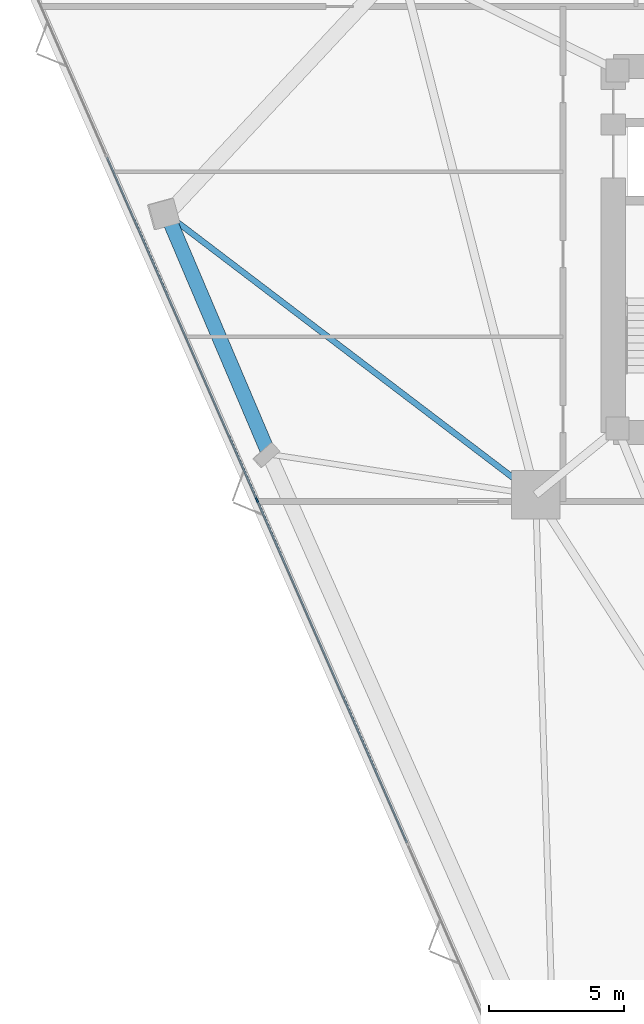
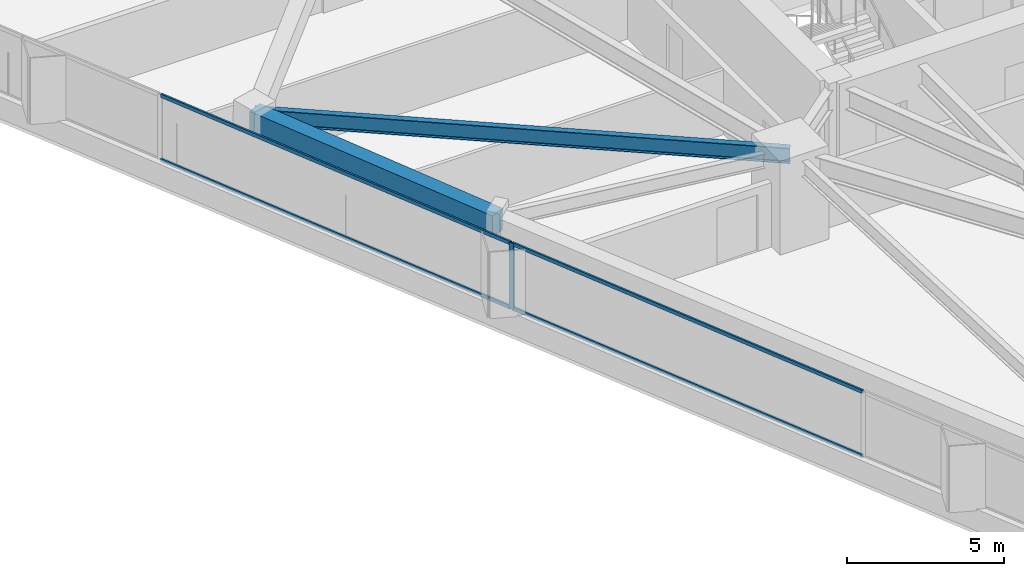
# One storey, part 6 of 20: 5 members, 2 beams, 1 element without a shape of its own.
"""IFC4 building model written with IfcOpenShell, lengths in metres."""

import ifcopenshell
import ifcopenshell.guid

model = None  # the IFC model being written
_history = None  # IfcOwnerHistory: only IFC2X3 demands one
_inside = {}  # id of a spatial element -> (the spatial element, [elements in it])
_under = {}  # id of a project, library or spatial element -> (it, [spatial elements below it])
_declared = {}  # id of a project -> (the project, [libraries it declares])
_typed = {}  # id of a type object -> (the type object, [elements of that type])
_made_of = {}  # id of a material, layer set ... -> (it, [elements and type objects made of it])


def new_model(schema):
    """Start an empty IFC model of exactly this schema.

    Asked for "IFC4X3", IfcOpenShell would pick the latest addendum, in which some entities
    have other attributes; the version numbers below select the first issue.
    IFC2X3 requires an IfcOwnerHistory on every rooted entity: one is made here for all.
    """
    global model, _history
    if schema == "IFC4X3":
        model = ifcopenshell.file(schema_version=(4, 3, 0, 0))
    else:
        model = ifcopenshell.file(schema=schema)
    _inside.clear()
    _under.clear()
    _declared.clear()
    _typed.clear()
    _made_of.clear()
    _history = None
    if model.schema == "IFC2X3":
        org = make("IfcOrganization", Name="unknown")
        user = make(
            "IfcPersonAndOrganization",
            ThePerson=make("IfcPerson", FamilyName="unknown"),
            TheOrganization=org,
        )
        app = make(
            "IfcApplication",
            ApplicationDeveloper=org,
            Version="unknown",
            ApplicationFullName="unknown",
            ApplicationIdentifier="unknown",
        )
        _history = make(
            "IfcOwnerHistory",
            OwningUser=user,
            OwningApplication=app,
            ChangeAction="ADDED",
            CreationDate=0,
        )
    return model


def make(cls, **values):
    """One entity of the class cls with the attributes given. An attribute that is None is left unset."""
    return model.create_entity(
        cls, **{name: value for name, value in values.items() if value is not None}
    )


def rooted(cls, **values):
    """An entity with a GlobalId (a new one), such as an element, a storey or a relation."""
    return make(cls, GlobalId=ifcopenshell.guid.new(), OwnerHistory=_history, **values)


def si_unit(unit_type, name, prefix=None):
    """IfcSIUnit, for example si_unit("LENGTHUNIT", "METRE", prefix="MILLI")."""
    return make("IfcSIUnit", UnitType=unit_type, Prefix=prefix, Name=name)


def assignment(units):
    """IfcUnitAssignment: the units of a project."""
    return None if units is None else make("IfcUnitAssignment", Units=units)


def point(xyz):
    """IfcCartesianPoint."""
    return None if xyz is None else make("IfcCartesianPoint", Coordinates=xyz)


def direction(xyz):
    """IfcDirection."""
    return None if xyz is None else make("IfcDirection", DirectionRatios=xyz)


def frame(location, z_axis=None, x_axis=None):
    """IfcAxis2Placement3D, a coordinate frame: its origin and axes. An axis left out is left unset."""
    return make(
        "IfcAxis2Placement3D",
        Location=point(location),
        Axis=direction(z_axis),
        RefDirection=direction(x_axis),
    )


def frame_2d(location, x_axis=None):
    """IfcAxis2Placement2D, a coordinate frame in the plane: its origin and x axis."""
    return make(
        "IfcAxis2Placement2D", Location=point(location), RefDirection=direction(x_axis)
    )


def origin():
    """The frame at (0, 0, 0) with its axes left unset."""
    return frame((0.0, 0.0, 0.0))


def origin_2d():
    """The frame at (0, 0) in the plane with its x axis left unset."""
    return frame_2d((0.0, 0.0))


def place(relative_to, where):
    """IfcLocalPlacement: puts the frame where relative to a parent placement (None: the world)."""
    return make(
        "IfcLocalPlacement", PlacementRelTo=relative_to, RelativePlacement=where
    )


def context(
    kind, dimensions, precision=None, world=None, true_north=None, identifier=None
):
    """IfcGeometricRepresentationContext, for example the 3D "Model" context."""
    return make(
        "IfcGeometricRepresentationContext",
        ContextIdentifier=identifier,
        ContextType=kind,
        CoordinateSpaceDimension=dimensions,
        Precision=precision,
        WorldCoordinateSystem=world,
        TrueNorth=true_north,
    )


def subcontext(parent, identifier, kind, view, scale=None):
    """IfcGeometricRepresentationSubContext, for example "Body" below "Model"."""
    return make(
        "IfcGeometricRepresentationSubContext",
        ContextIdentifier=identifier,
        ContextType=kind,
        ParentContext=parent,
        TargetScale=scale,
        TargetView=view,
    )


def project(units=None, contexts=None):
    """IfcProject with its units and contexts."""
    return rooted(
        "IfcProject",
        Name="project",
        RepresentationContexts=contexts,
        UnitsInContext=assignment(units),
    )


def spatial(cls, under=None, at=None, **own):
    """A site, building, storey or space (cls), placed at a placement, below another one or the project."""
    s = rooted(cls, ObjectPlacement=at, **own)
    if under is not None:
        _under.setdefault(under.id(), (under, []))[1].append(s)
    return s


def profile(cls, at=None, kind="AREA", **sizes):
    """A parametric profile (cls). Its sizes go by their IFC names, for example OverallWidth=200.0."""
    return make(cls, ProfileType=kind, Position=at, **sizes)


def rectangle(**sizes):
    """IfcRectangleProfileDef."""
    return profile("IfcRectangleProfileDef", **sizes)


def i_section(**sizes):
    """IfcIShapeProfileDef."""
    return profile("IfcIShapeProfileDef", **sizes)


def extrude(swept, where, along, depth):
    """IfcExtrudedAreaSolid: the profile swept, set in the frame where, extruded along a direction by depth."""
    return make(
        "IfcExtrudedAreaSolid",
        SweptArea=swept,
        Position=where,
        ExtrudedDirection=direction(along),
        Depth=depth,
    )


def shape(context_of_items, identifier, shape_type, items):
    """IfcShapeRepresentation: the items that make up one representation, for example the "Body"."""
    return make(
        "IfcShapeRepresentation",
        ContextOfItems=context_of_items,
        RepresentationIdentifier=identifier,
        RepresentationType=shape_type,
        Items=items,
    )


def material(Name=None, Category=None):
    """IfcMaterial."""
    return make("IfcMaterial", Name=Name, Category=Category)


def layer(
    of_material, thickness, ventilated=None, Name=None, Category=None, Priority=None
):
    """IfcMaterialLayer: one layer of a wall or slab, of a material (None: an air gap)."""
    return make(
        "IfcMaterialLayer",
        Material=of_material,
        LayerThickness=thickness,
        IsVentilated=ventilated,
        Name=Name,
        Category=Category,
        Priority=Priority,
    )


def layer_set(layers, Name=None):
    """IfcMaterialLayerSet."""
    return make("IfcMaterialLayerSet", MaterialLayers=layers, LayerSetName=Name)


def material_profile(
    of_material, cross_section, Name=None, Category=None, Priority=None
):
    """IfcMaterialProfile: a cross section and its material."""
    return make(
        "IfcMaterialProfile",
        Name=Name,
        Material=of_material,
        Profile=cross_section,
        Priority=Priority,
        Category=Category,
    )


def profile_set(profiles, Name=None, composite=None):
    """IfcMaterialProfileSet."""
    return make(
        "IfcMaterialProfileSet",
        Name=Name,
        MaterialProfiles=profiles,
        CompositeProfile=composite,
    )


def made_of(thing, what):
    """Note that an element or type object is made of a material, layer set ...; save() writes the relation."""
    if what is not None:
        _made_of.setdefault(what.id(), (what, []))[1].append(thing)
    return thing


def type_object(cls, material=None, **own):
    """A type object (cls), such as IfcWallType, which elements share."""
    return made_of(rooted(cls, **own), material)


def element(
    cls,
    number,
    at=None,
    inside=None,
    cuts=None,
    type_object=None,
    material=None,
    context=None,
    identifier="Body",
    shape_type=None,
    held_by="IfcProductDefinitionShape",
    body=None,
    shapes=None,
    **own,
):
    """One element of the class cls, such as IfcWall. Its Tag is "e" and its number.

    at: its placement. inside: the storey or other place that contains it. cuts: it is an
    opening in that element (IfcRelVoidsElement). A single representation is given by context,
    identifier, shape_type and body (its items); several are given by shapes. held_by: the class
    of the entity that holds the representations. save() writes the other relations.
    """
    e = rooted(cls, Tag="e%d" % number, ObjectPlacement=at, **own)
    if body is not None:
        shapes = [shape(context, identifier, shape_type, body)]
    if shapes is not None:
        e.Representation = make(held_by, Representations=shapes)
    if inside is not None:
        _inside.setdefault(inside.id(), (inside, []))[1].append(e)
    if cuts is not None:
        rooted(
            "IfcRelVoidsElement", RelatingBuildingElement=cuts, RelatedOpeningElement=e
        )
    if type_object is not None:
        _typed.setdefault(type_object.id(), (type_object, []))[1].append(e)
    return made_of(e, material)


def aggregate(whole, parts):
    """IfcRelAggregates: a whole, such as a stair, and the parts it consists of."""
    return rooted("IfcRelAggregates", RelatingObject=whole, RelatedObjects=parts)


def save(model, path):
    """Write the relations noted so far, then the file.

    IfcRelAggregates (storeys below a building ...), IfcRelContainedInSpatialStructure (elements
    in a storey), IfcRelDefinesByType, IfcRelAssociatesMaterial and IfcRelDeclares: one each for
    every whole, place, type object, material and project.
    """
    for whole, parts in _under.values():
        aggregate(whole, parts)
    for where, things in _inside.values():
        rooted(
            "IfcRelContainedInSpatialStructure",
            RelatedElements=things,
            RelatingStructure=where,
        )
    for kind, things in _typed.values():
        rooted("IfcRelDefinesByType", RelatedObjects=things, RelatingType=kind)
    for what, things in _made_of.values():
        rooted("IfcRelAssociatesMaterial", RelatedObjects=things, RelatingMaterial=what)
    for by, libraries in _declared.values():
        rooted("IfcRelDeclares", RelatingContext=by, RelatedDefinitions=libraries)
    model.write(path)


model = new_model("IFC4")

# Units and contexts
model_context = context("Model", 3, precision=1e-05, world=origin(), true_north=direction((0.0, 1.0)))
body_context = subcontext(model_context, "Body", "Model", "MODEL_VIEW")
ifc_project = project(units=[si_unit("LENGTHUNIT", "METRE"), si_unit("AREAUNIT", "SQUARE_METRE"), si_unit("VOLUMEUNIT", "CUBIC_METRE"), si_unit("PLANEANGLEUNIT", "RADIAN"), si_unit("MASSUNIT", "GRAM", prefix="KILO")], contexts=[model_context])

# Site, building, storey
site_placement = place(None, origin())
site = spatial("IfcSite", under=ifc_project, at=site_placement, CompositionType="ELEMENT")
building_placement = place(site_placement, origin())
building = spatial("IfcBuilding", under=site, at=building_placement, Name="Talyreon Biosciences Tower", CompositionType="ELEMENT")
storey_placement = place(building_placement, frame((0.0, 0.0, 59.300048828125)))
storey = spatial("IfcBuildingStorey", under=building, at=storey_placement, Name="L15", CompositionType="ELEMENT", Elevation=59.300048828125)

# Curtain wall, members
ifc_material_1 = material(Name="Thermally broken aluminium and low-E glazing", Category="aluminium")
ifc_layer = layer(ifc_material_1, 0.195068359375)
ifc_layer_set = layer_set([ifc_layer], Name="Thermally broken aluminium and low-E glazing")
curtain_wall_type = type_object("IfcCurtainWallType", Name="CurtainWall_Zone1WetLab", PredefinedType="NOTDEFINED", material=ifc_layer_set)
curtain_wall_placement = place(storey_placement, origin())
curtain_wall = element("IfcCurtainWall", 1, at=curtain_wall_placement, inside=storey, type_object=curtain_wall_type, Name="L15 Unitised Curtain Wall FCW-L15-00", PredefinedType="NOTDEFINED")
ifc_material_2 = material(Name="Anodised thermally broken aluminium", Category="aluminium")
ifc_material_profile_1 = material_profile(ifc_material_2, rectangle(XDim=0.06494140625, YDim=0.179931640625, at=origin_2d()), Name="ALUM MULLION 65x180")
ifc_profile_set_1 = profile_set([ifc_material_profile_1], Name="Anodised thermally broken aluminium")
member_type_1 = type_object("IfcMemberType", Name="CWMullion_65x180", PredefinedType="MULLION", material=ifc_profile_set_1)
member_1_placement = place(storey_placement, frame((44.560302734375, 58.689453125, 0.81005859375), z_axis=(0.0, 0.0, 1.0), x_axis=(-0.916092182361, -0.400967721165, 0.0)))
member_1 = element("IfcMember", 2, at=member_1_placement, type_object=member_type_1, Name="CW2 mullion 4", PredefinedType="MULLION", context=body_context, shape_type="SweptSolid", body=[
    extrude(rectangle(XDim=0.06494140625, YDim=0.179931640625, at=origin_2d()), origin(), (0.0, 0.0, 1.0), 2.56494140625),
])
ifc_material_profile_2 = material_profile(ifc_material_2, rectangle(XDim=0.06494140625, YDim=0.139892578125, at=origin_2d()), Name="ALUM TRANSOM 65x140")
ifc_profile_set_2 = profile_set([ifc_material_profile_2], Name="Anodised thermally broken aluminium")
member_type_2 = type_object("IfcMemberType", Name="CWTransom_65x140", PredefinedType="USERDEFINED", material=ifc_profile_set_2)
member_2_placement = place(storey_placement, frame((50.13037109375, 45.963623046875, 0.842529296875), z_axis=(-0.400962068949, 0.916094656279, 0.0), x_axis=(-0.916094656279, -0.400962068949, 0.0)))
member_2 = element("IfcMember", 3, at=member_2_placement, type_object=member_type_2, Name="CW2 transom 3.1", ObjectType="TRANSOM", PredefinedType="USERDEFINED", context=body_context, shape_type="SweptSolid", body=[
    extrude(rectangle(XDim=0.06494140625, YDim=0.139892578125, at=origin_2d()), origin(), (0.0, 0.0, 1.0), 13.85888671875),
])
member_3_placement = place(storey_placement, frame((50.13037109375, 45.963623046875, 3.342529296875), z_axis=(-0.400962068949, 0.916094656279, 0.0), x_axis=(-0.916094656279, -0.400962068949, 0.0)))
member_3 = element("IfcMember", 4, at=member_3_placement, type_object=member_type_2, Name="CW2 transom 3.2", ObjectType="TRANSOM", PredefinedType="USERDEFINED", context=body_context, shape_type="SweptSolid", body=[
    extrude(rectangle(XDim=0.06494140625, YDim=0.139892578125, at=origin_2d()), origin(), (0.0, 0.0, 1.0), 13.85888671875),
])
member_4_placement = place(storey_placement, frame((44.54736328125, 58.71923828125, 0.842529296875), z_axis=(-0.400970381999, 0.916091017727, 0.0), x_axis=(-0.916091017727, -0.400970381999, 0.0)))
member_4 = element("IfcMember", 5, at=member_4_placement, type_object=member_type_2, Name="CW2 transom 4.1", ObjectType="TRANSOM", PredefinedType="USERDEFINED", context=body_context, shape_type="SweptSolid", body=[
    extrude(rectangle(XDim=0.06494140625, YDim=0.139892578125, at=origin_2d()), origin(), (0.0, 0.0, 1.0), 13.859130859375),
])
member_5_placement = place(storey_placement, frame((44.54736328125, 58.71923828125, 3.342529296875), z_axis=(-0.400970381999, 0.916091017727, 0.0), x_axis=(-0.916091017727, -0.400970381999, 0.0)))
member_5 = element("IfcMember", 6, at=member_5_placement, type_object=member_type_2, Name="CW2 transom 4.2", ObjectType="TRANSOM", PredefinedType="USERDEFINED", context=body_context, shape_type="SweptSolid", body=[
    extrude(rectangle(XDim=0.06494140625, YDim=0.139892578125, at=origin_2d()), origin(), (0.0, 0.0, 1.0), 13.859130859375),
])
aggregate(curtain_wall, [member_1, member_2, member_3, member_4, member_5])

# Beams
ifc_material_3 = material(Name="Precast concrete C45/55", Category="concrete")
ifc_material_profile_3 = material_profile(ifc_material_3, rectangle(XDim=0.550048828125, YDim=0.85009765625, at=origin_2d()), Name="RCB 550x850")
ifc_profile_set_3 = profile_set([ifc_material_profile_3], Name="Precast concrete C45/55")
beam_type_1 = type_object("IfcBeamType", Name="ExpressedSpandrel_550x850", PredefinedType="SPANDREL", material=ifc_profile_set_3)
beam_1_placement = place(storey_placement, frame((41.21728515625, 69.30224609375, 2.949951171875), z_axis=(0.391431609944, -0.920207202067, 0.0), x_axis=(0.920207202067, 0.391431609944, 0.0)))
element("IfcBeam", 7, at=beam_1_placement, inside=storey, type_object=beam_type_1, Name="L15 Expressed Horizontal Concrete Spandrel 10", PredefinedType="SPANDREL", context=body_context, shape_type="SweptSolid", body=[
    extrude(rectangle(XDim=0.550048828125, YDim=0.85009765625, at=origin_2d()), origin(), (0.0, 0.0, 1.0), 9.6826171875),
])
ifc_material_4 = material(Name="Steel SM355", Category="steel")
ifc_material_profile_4 = material_profile(ifc_material_4, i_section(OverallWidth=0.219970703125, OverallDepth=0.60009765625, WebThickness=0.011962890625, FlangeThickness=0.01904296875, FilletRadius=0.02392578125, at=origin_2d()), Name="IPE600")
ifc_profile_set_4 = profile_set([ifc_material_profile_4], Name="Steel SM355")
beam_type_2 = type_object("IfcBeamType", Name="SteelJoist_IPE600", PredefinedType="JOIST", material=ifc_profile_set_4)
beam_2_placement = place(storey_placement, frame((54.913818359375, 58.88037109375, 3.074951171875), z_axis=(-0.795811901528, 0.605543902113, 0.0), x_axis=(-0.605543902113, -0.795811901528, 0.0)))
element("IfcBeam", 8, at=beam_2_placement, inside=storey, type_object=beam_type_2, Name="L15 Radial Composite Floor Joist PC-SW1", PredefinedType="JOIST", context=body_context, shape_type="SweptSolid", body=[
    extrude(i_section(OverallWidth=0.219970703125, OverallDepth=0.60009765625, WebThickness=0.011962890625, FlangeThickness=0.01904296875, FilletRadius=0.02392578125, at=origin_2d()), origin(), (0.0, 0.0, 1.0), 17.210693359375),
])

save(model, "model.ifc")
